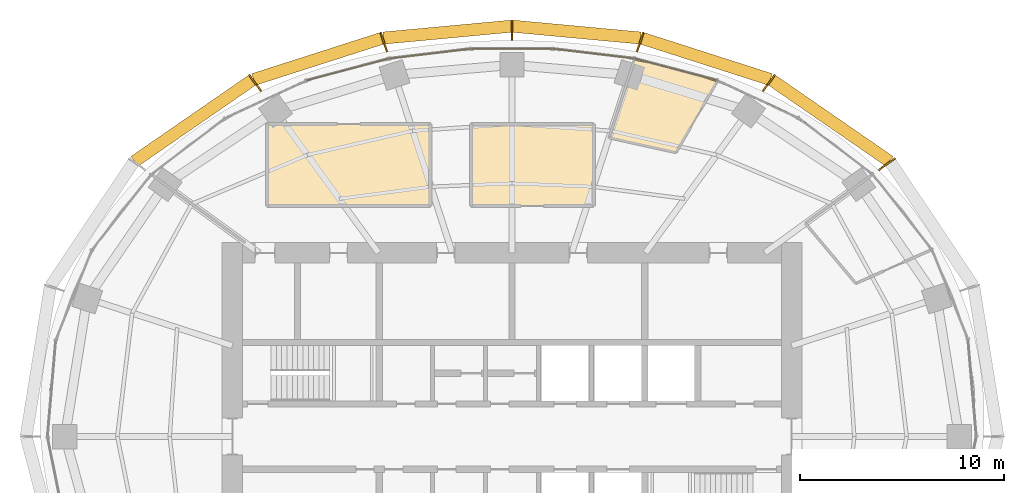
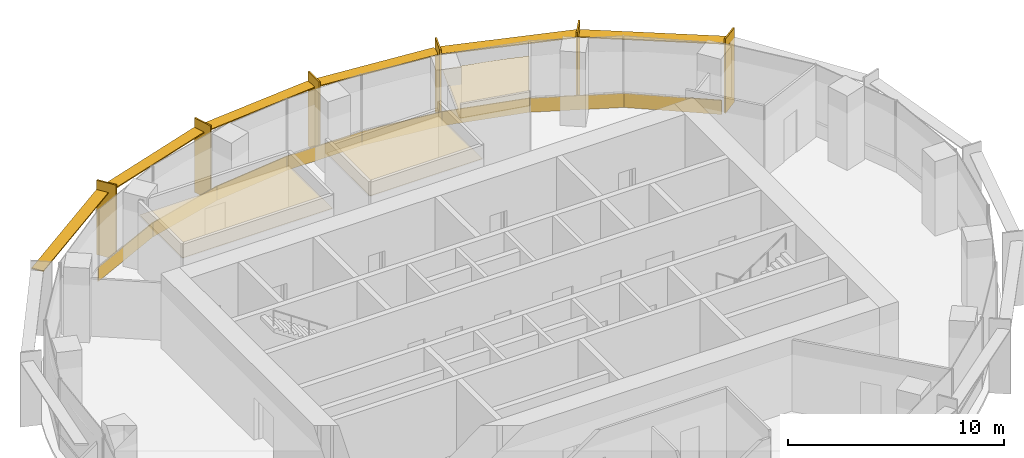
# One storey, part 13 of 13: 12 shading devices, 11 coverings.
"""IFC4 building model written with IfcOpenShell, lengths in metres."""

from ifc_helpers import new_model, si_unit, direction, frame, origin, origin_2d, place, context, subcontext, project, spatial, polyline, rectangle, outline, extrude, material, layer, layer_set, type_object, element, save


model = new_model("IFC4")

# Units and contexts
model_context = context("Model", 3, precision=1e-05, world=origin(), true_north=direction((0.0, 1.0)))
body_context = subcontext(model_context, "Body", "Model", "MODEL_VIEW")
ifc_project = project(units=[si_unit("LENGTHUNIT", "METRE"), si_unit("AREAUNIT", "SQUARE_METRE"), si_unit("VOLUMEUNIT", "CUBIC_METRE"), si_unit("PLANEANGLEUNIT", "RADIAN"), si_unit("MASSUNIT", "GRAM", prefix="KILO")], contexts=[model_context])

# Site, building, storey
site_placement = place(None, origin())
site = spatial("IfcSite", under=ifc_project, at=site_placement, CompositionType="ELEMENT")
building_placement = place(site_placement, origin())
building = spatial("IfcBuilding", under=site, at=building_placement, Name="Marramba Exchange Tower", CompositionType="ELEMENT")
storey_placement = place(building_placement, frame((0.0, 0.0, 264.39990234375)))
storey = spatial("IfcBuildingStorey", under=building, at=storey_placement, Name="L64", CompositionType="ELEMENT", Elevation=264.39990234375)

# Shading devices
ifc_material_1 = material(Name="Aluminium blade, timber-look bronze finish", Category="wood")
ifc_layer_1 = layer(ifc_material_1, 0.080078125)
ifc_layer_set_1 = layer_set([ifc_layer_1], Name="Floor-edge blade 1000x80")
shading_device_type_1 = type_object("IfcShadingDeviceType", Name="Floor-edge blade 1000x80", PredefinedType="USERDEFINED", material=ifc_layer_set_1)
for number, where, z_axis, x_axis, name in (
    (1, (18.361083984375, 13.340087890625, -0.15966796875), (0.0, 0.0, 1.0), (0.809016994375, 0.587785252292, 0.0), "Floor-edge blade FB1 L64 TC03"),
    (2, (12.58056640625, 17.315673828125, -0.15966796875), (0.0, 0.0, 1.0), (0.587785252292, 0.809016994375, 0.0), "Floor-edge blade FB1 L64 TC04"),
    (3, (6.279296875, 19.325439453125, -0.15966796875), (0.0, 0.0, 1.0), (0.309016994375, 0.951056516295, 0.0), "Floor-edge blade FB1 L64 TC05"),
    (4, (0.0, 19.904052734375, -0.15966796875), (0.0, 0.0, 1.0), (0.0, 1.0, 0.0), "Floor-edge blade FB1 L64 TC06"),
    (5, (-6.279296875, 19.325439453125, -0.15966796875), (0.0, 0.0, 1.0), (-0.309016994375, 0.951056516295, 0.0), "Floor-edge blade FB1 L64 TC07"),
    (6, (-12.58056640625, 17.315673828125, -0.15966796875), (0.0, 0.0, 1.0), (-0.587785252292, 0.809016994375, 0.0), "Floor-edge blade FB1 L64 TC08"),
):
    element("IfcShadingDevice", number, at=place(storey_placement, frame(where, z_axis=z_axis, x_axis=x_axis)), inside=storey, type_object=shading_device_type_1, Name=name, ObjectType="FIN", PredefinedType="USERDEFINED", context=body_context, shape_type="SweptSolid", body=[
        extrude(rectangle(XDim=1.0, YDim=0.080078125, at=origin_2d()), origin(), (0.0, 0.0, 1.0), 4.199951171875),
    ])
ifc_material_2 = material(Name="Aluminium sunshade, bronze anodised", Category="aluminium")
ifc_layer_2 = layer(ifc_material_2, 0.06005859375)
ifc_layer_set_2 = layer_set([ifc_layer_2], Name="SUNSHADE blade 600x60")
shading_device_type_2 = type_object("IfcShadingDeviceType", Name="SUNSHADE blade 600x60", PredefinedType="USERDEFINED", material=ifc_layer_set_2)
shading_device_1_placement = place(storey_placement, frame((15.610595703125, 15.467529296875, 3.4599609375), z_axis=(0.0, 0.0, 1.0), x_axis=(-0.823024460267, 0.568005931134, 0.0)))
element("IfcShadingDevice", 7, at=shading_device_1_placement, inside=storey, type_object=shading_device_type_2, Name="Sunshade SS1 L64 bay 03", ObjectType="SUNSHADE", PredefinedType="USERDEFINED", context=body_context, shape_type="SweptSolid", body=[
    extrude(rectangle(XDim=6.9970703125, YDim=0.60009765625, at=origin_2d()), origin(), (0.0, 0.0, 1.0), 0.06005859375),
])
shading_device_2_placement = place(storey_placement, frame((9.51953125, 18.49658203125, 3.4599609375), z_axis=(0.0, 0.0, 1.0), x_axis=(-0.952259596472, 0.30528947071, 0.0)))
element("IfcShadingDevice", 8, at=shading_device_2_placement, inside=storey, type_object=shading_device_type_2, Name="Sunshade SS1 L64 bay 04", ObjectType="SUNSHADE", PredefinedType="USERDEFINED", context=body_context, shape_type="SweptSolid", body=[
    extrude(rectangle(XDim=6.595947265625, YDim=0.60009765625, at=origin_2d()), origin(), (0.0, 0.0, 1.0), 0.06005859375),
])
for number, where, z_axis, x_axis, name in (
    (9, (3.17041015625, 19.809814453125, 3.4599609375), (0.0, 0.0, 1.0), (-0.995722269911, 0.092396759698, 0.0), "Sunshade SS1 L64 bay 05"),
    (10, (-3.17041015625, 19.809814453125, 3.4599609375), (0.0, 0.0, 1.0), (-0.995722269911, -0.092396759698, 0.0), "Sunshade SS1 L64 bay 06"),
):
    element("IfcShadingDevice", number, at=place(storey_placement, frame(where, z_axis=z_axis, x_axis=x_axis)), inside=storey, type_object=shading_device_type_2, Name=name, ObjectType="SUNSHADE", PredefinedType="USERDEFINED", context=body_context, shape_type="SweptSolid", body=[
        extrude(rectangle(XDim=6.288330078125, YDim=0.60009765625, at=origin_2d()), origin(), (0.0, 0.0, 1.0), 0.06005859375),
    ])
shading_device_3_placement = place(storey_placement, frame((-9.51953125, 18.49658203125, 3.4599609375), z_axis=(0.0, 0.0, 1.0), x_axis=(-0.952259596472, -0.30528947071, 0.0)))
element("IfcShadingDevice", 11, at=shading_device_3_placement, inside=storey, type_object=shading_device_type_2, Name="Sunshade SS1 L64 bay 07", ObjectType="SUNSHADE", PredefinedType="USERDEFINED", context=body_context, shape_type="SweptSolid", body=[
    extrude(rectangle(XDim=6.595947265625, YDim=0.60009765625, at=origin_2d()), origin(), (0.0, 0.0, 1.0), 0.06005859375),
])
shading_device_4_placement = place(storey_placement, frame((-15.610595703125, 15.467529296875, 3.4599609375), z_axis=(0.0, 0.0, 1.0), x_axis=(-0.823024460267, -0.568005931134, 0.0)))
element("IfcShadingDevice", 12, at=shading_device_4_placement, inside=storey, type_object=shading_device_type_2, Name="Sunshade SS1 L64 bay 08", ObjectType="SUNSHADE", PredefinedType="USERDEFINED", context=body_context, shape_type="SweptSolid", body=[
    extrude(rectangle(XDim=6.9970703125, YDim=0.60009765625, at=origin_2d()), origin(), (0.0, 0.0, 1.0), 0.06005859375),
])

# Coverings
ifc_material_3 = material(Name="Aluminium spandrel panel, bronze anodised, insulated", Category="aluminium")
ifc_layer_3 = layer(ifc_material_3, 0.050048828125)
ifc_layer_set_3 = layer_set([ifc_layer_3], Name="Spandrel panel 800")
covering_type_1 = type_object("IfcCoveringType", Name="Spandrel panel 800", PredefinedType="CLADDING", material=ifc_layer_set_3)
covering_1_placement = place(storey_placement, frame((15.859375, 14.2197265625, 0.0), z_axis=(0.0, 0.0, 1.0), x_axis=(-0.796058898731, 0.605219158447, 0.0)))
element("IfcCovering", 13, at=covering_1_placement, inside=storey, type_object=covering_type_1, Name="Spandrel panel SP1 L64 F04", PredefinedType="CLADDING", context=body_context, shape_type="SweptSolid", body=[
    extrude(rectangle(XDim=4.5576171875, YDim=0.050048828125, at=origin_2d()), origin(), (0.0, 0.0, 1.0), 0.800048828125),
])
covering_2_placement = place(storey_placement, frame((12.057861328125, 16.520751953125, 0.0), z_axis=(0.0, 0.0, 1.0), x_axis=(-0.907130582029, 0.420849268918, 0.0)))
element("IfcCovering", 14, at=covering_2_placement, inside=storey, type_object=covering_type_1, Name="Spandrel panel SP1 L64 F05", PredefinedType="CLADDING", context=body_context, shape_type="SweptSolid", body=[
    extrude(rectangle(XDim=4.381591796875, YDim=0.050048828125, at=origin_2d()), origin(), (0.0, 0.0, 1.0), 0.800048828125),
])
covering_3_placement = place(storey_placement, frame((8.04345703125, 17.97998046875, 0.0), z_axis=(0.0, 0.0, 1.0), x_axis=(-0.966643517403, 0.256125575184, 0.0)))
element("IfcCovering", 15, at=covering_3_placement, inside=storey, type_object=covering_type_1, Name="Spandrel panel SP1 L64 F06", PredefinedType="CLADDING", context=body_context, shape_type="SweptSolid", body=[
    extrude(rectangle(XDim=4.194091796875, YDim=0.050048828125, at=origin_2d()), origin(), (0.0, 0.0, 1.0), 0.800048828125),
])
covering_4_placement = place(storey_placement, frame((4.006591796875, 18.757080078125, 0.0), z_axis=(0.0, 0.0, 1.0), x_axis=(-0.992947252913, 0.118556960709, 0.0)))
element("IfcCovering", 16, at=covering_4_placement, inside=storey, type_object=covering_type_1, Name="Spandrel panel SP1 L64 F07", PredefinedType="CLADDING", context=body_context, shape_type="SweptSolid", body=[
    extrude(rectangle(XDim=4.04833984375, YDim=0.050048828125, at=origin_2d()), origin(), (0.0, 0.0, 1.0), 0.800048828125),
])
covering_5_placement = place(storey_placement, frame((0.0, 18.9970703125, 0.0), z_axis=(0.0, 0.0, 1.0), x_axis=(-1.0, 0.0, 0.0)))
element("IfcCovering", 17, at=covering_5_placement, inside=storey, type_object=covering_type_1, Name="Spandrel panel SP1 L64 F08", PredefinedType="CLADDING", context=body_context, shape_type="SweptSolid", body=[
    extrude(rectangle(XDim=3.993408203125, YDim=0.050048828125, at=origin_2d()), origin(), (0.0, 0.0, 1.0), 0.800048828125),
])
covering_6_placement = place(storey_placement, frame((-4.006591796875, 18.757080078125, 0.0), z_axis=(0.0, 0.0, 1.0), x_axis=(-0.992947252913, -0.118556960709, 0.0)))
element("IfcCovering", 18, at=covering_6_placement, inside=storey, type_object=covering_type_1, Name="Spandrel panel SP1 L64 F09", PredefinedType="CLADDING", context=body_context, shape_type="SweptSolid", body=[
    extrude(rectangle(XDim=4.04833984375, YDim=0.050048828125, at=origin_2d()), origin(), (0.0, 0.0, 1.0), 0.800048828125),
])
covering_7_placement = place(storey_placement, frame((-8.04345703125, 17.97998046875, 0.0), z_axis=(0.0, 0.0, 1.0), x_axis=(-0.966643517403, -0.256125575184, 0.0)))
element("IfcCovering", 19, at=covering_7_placement, inside=storey, type_object=covering_type_1, Name="Spandrel panel SP1 L64 F10", PredefinedType="CLADDING", context=body_context, shape_type="SweptSolid", body=[
    extrude(rectangle(XDim=4.194091796875, YDim=0.050048828125, at=origin_2d()), origin(), (0.0, 0.0, 1.0), 0.800048828125),
])
covering_8_placement = place(storey_placement, frame((-12.057861328125, 16.520751953125, 0.0), z_axis=(0.0, 0.0, 1.0), x_axis=(-0.907130582029, -0.420849268918, 0.0)))
element("IfcCovering", 20, at=covering_8_placement, inside=storey, type_object=covering_type_1, Name="Spandrel panel SP1 L64 F11", PredefinedType="CLADDING", context=body_context, shape_type="SweptSolid", body=[
    extrude(rectangle(XDim=4.381591796875, YDim=0.050048828125, at=origin_2d()), origin(), (0.0, 0.0, 1.0), 0.800048828125),
])
ifc_material_4 = material(Name="Mineral fibre ceiling tiles", Category="gypsum")
ifc_layer_4 = layer(ifc_material_4, 0.02001953125)
ifc_layer_set_4 = layer_set([ifc_layer_4], Name="Suspended ceiling 20")
covering_type_2 = type_object("IfcCoveringType", Name="Suspended ceiling 20", PredefinedType="CEILING", material=ifc_layer_set_4)
covering_9_placement = place(storey_placement, frame((0.0, 0.0, 3.2001953125)))
element("IfcCovering", 21, at=covering_9_placement, inside=storey, type_object=covering_type_2, Name="Ceiling CL1 L64 Executive Office 1", PredefinedType="CEILING", context=body_context, shape_type="SweptSolid", body=[
    extrude(outline(polyline([(6.115478515625, 18.415771484375), (7.0, 18.23583984375), (8.010498046875, 17.99169921875), (9.021240234375, 17.705078125), (9.088134765625, 17.68310546875), (10.030517578125, 17.37353515625), (8.030517578125, 13.909423828125), (4.755615234375, 14.63671875), (5.99169921875, 18.44091796875), (6.115478515625, 18.415771484375)])), origin(), (0.0, 0.0, 1.0), 0.02001953125),
])
covering_10_placement = place(storey_placement, frame((0.0, 0.0, 3.2001953125)))
element("IfcCovering", 22, at=covering_10_placement, inside=storey, type_object=covering_type_2, Name="Ceiling CL1 L64 Meeting Room 1", PredefinedType="CEILING", context=body_context, shape_type="SweptSolid", body=[
    extrude(outline(polyline([(-4.0, 11.300048828125), (-12.0, 11.300048828125), (-12.0, 15.300048828125), (-4.0, 15.300048828125), (-4.0, 11.300048828125)])), origin(), (0.0, 0.0, 1.0), 0.02001953125),
])
covering_11_placement = place(storey_placement, frame((0.0, 0.0, 3.2001953125)))
element("IfcCovering", 23, at=covering_11_placement, inside=storey, type_object=covering_type_2, Name="Ceiling CL1 L64 Meeting Room 2", PredefinedType="CEILING", context=body_context, shape_type="SweptSolid", body=[
    extrude(outline(polyline([(4.0, 11.300048828125), (-2.0, 11.300048828125), (-2.0, 15.300048828125), (4.0, 15.300048828125), (4.0, 11.300048828125)])), origin(), (0.0, 0.0, 1.0), 0.02001953125),
])

save(model, "model.ifc")
